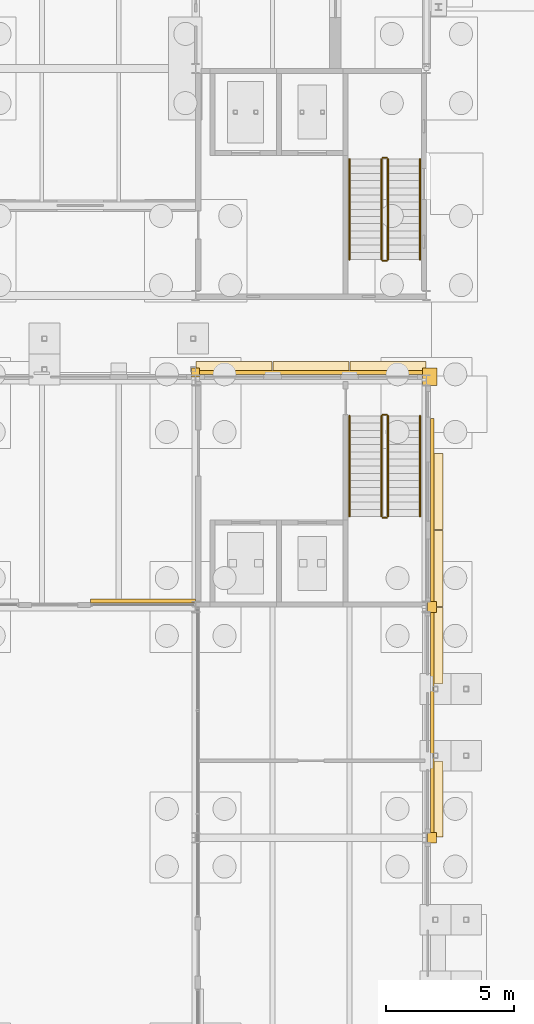
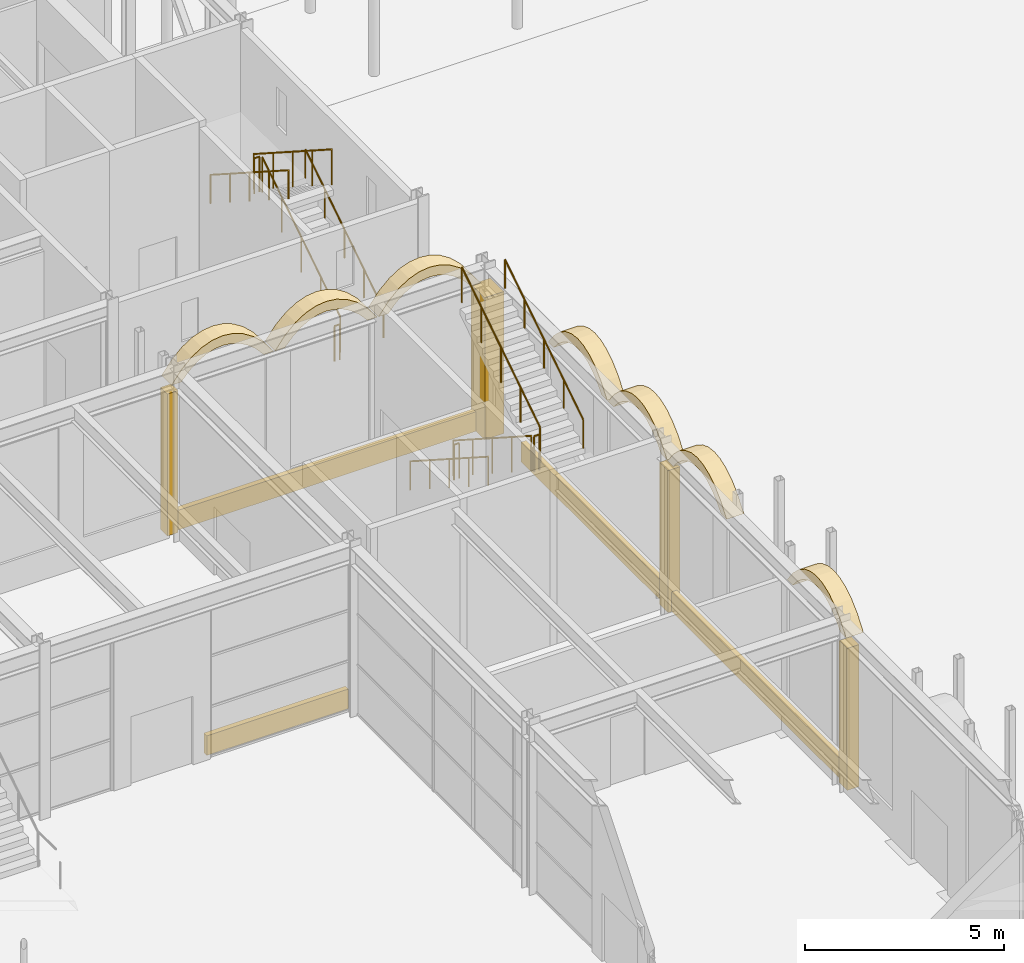
# One storey, part 113 of 126: 15 coverings, 12 railings.
"""IFC4 building model written with IfcOpenShell, lengths in metres."""

from ifc_helpers import new_model, si_unit, direction, frame, origin, origin_2d, place, context, subcontext, project, spatial, polyline, rectangle, circle, outline, extrude, material, layer, layer_set, type_object, element, save


model = new_model("IFC4")

# Units and contexts
model_context = context("Model", 3, precision=1e-05, world=origin(), true_north=direction((0.0, 1.0)))
body_context = subcontext(model_context, "Body", "Model", "MODEL_VIEW")
ifc_project = project(units=[si_unit("LENGTHUNIT", "METRE"), si_unit("AREAUNIT", "SQUARE_METRE"), si_unit("VOLUMEUNIT", "CUBIC_METRE"), si_unit("PLANEANGLEUNIT", "RADIAN"), si_unit("MASSUNIT", "GRAM", prefix="KILO")], contexts=[model_context])

# Site, building, storey
site_placement = place(None, origin())
site = spatial("IfcSite", under=ifc_project, at=site_placement, CompositionType="ELEMENT")
building_placement = place(site_placement, origin())
building = spatial("IfcBuilding", under=site, at=building_placement, Name="Kallimachos Central Library", CompositionType="ELEMENT")
storey_placement = place(building_placement, origin())
storey = spatial("IfcBuildingStorey", under=building, at=storey_placement, Name="L00", CompositionType="ELEMENT", Elevation=0.0)

# Railings
ifc_material_1 = material(Name="Wrought iron")
railing_type_1 = type_object("IfcRailingType", Name="Stair guard", PredefinedType="GUARDRAIL", material=ifc_material_1)
railing_1_placement = place(storey_placement, frame((108.75, 82.449951171875, 0.179931640625)))
element("IfcRailing", 1, at=railing_1_placement, inside=storey, type_object=railing_type_1, Name="L00 ST10 stair guard 1", PredefinedType="GUARDRAIL", context=body_context, shape_type="SweptSolid", body=[
    extrude(circle(Radius=0.02392578125, at=origin_2d()), frame((0.0, 0.0, 1.076171875), z_axis=(0.0, -0.841171666519, 0.540768182723), x_axis=(1.0, 0.0, 0.0)), (0.0, 0.0, 1.0), 4.66015625),
    extrude(circle(Radius=0.02099609375, at=origin_2d()), origin(), (0.0, 0.0, 1.0), 1.052001953125),
    extrude(circle(Radius=0.02099609375, at=origin_2d()), frame((0.0, -0.97998046875, 0.6298828125)), (0.0, 0.0, 1.0), 1.052001953125),
    extrude(circle(Radius=0.02099609375, at=origin_2d()), frame((0.0, -1.9599609375, 1.260009765625)), (0.0, 0.0, 1.0), 1.052001953125),
    extrude(circle(Radius=0.02099609375, at=origin_2d()), frame((0.0, -2.93994140625, 1.89013671875)), (0.0, 0.0, 1.0), 1.052001953125),
    extrude(circle(Radius=0.02099609375, at=origin_2d()), frame((0.0, -3.919921875, 2.52001953125)), (0.0, 0.0, 1.0), 1.052001953125),
])
railing_2_placement = place(storey_placement, frame((108.800048828125, 78.47998046875, 2.699951171875)))
element("IfcRailing", 2, at=railing_2_placement, inside=storey, type_object=railing_type_1, Name="L00 ST10 stair guard 2", PredefinedType="GUARDRAIL", context=body_context, shape_type="SweptSolid", body=[
    extrude(circle(Radius=0.02392578125, at=origin_2d()), frame((0.0, 0.0, 1.076171875), z_axis=(1.0, 0.0, 0.0), x_axis=(0.0, 1.0, 0.0)), (0.0, 0.0, 1.0), 0.14990234375),
    extrude(circle(Radius=0.02099609375, at=origin_2d()), origin(), (0.0, 0.0, 1.0), 1.052001953125),
    extrude(circle(Radius=0.02099609375, at=origin_2d()), frame((0.14990234375, 0.0, 0.0)), (0.0, 0.0, 1.0), 1.052001953125),
])
railing_3_placement = place(storey_placement, frame((109.0, 78.530029296875, 2.8798828125)))
element("IfcRailing", 3, at=railing_3_placement, inside=storey, type_object=railing_type_1, Name="L00 ST10 stair guard 3", PredefinedType="GUARDRAIL", context=body_context, shape_type="SweptSolid", body=[
    extrude(circle(Radius=0.02392578125, at=origin_2d()), frame((0.0, 0.0, 1.076171875), z_axis=(0.0, 0.841171666519, 0.540768182723), x_axis=(-1.0, 0.0, 0.0)), (0.0, 0.0, 1.0), 4.66015625),
    extrude(circle(Radius=0.02099609375, at=origin_2d()), origin(), (0.0, 0.0, 1.0), 1.052001953125),
    extrude(circle(Radius=0.02099609375, at=origin_2d()), frame((0.0, 0.97998046875, 0.6298828125)), (0.0, 0.0, 1.0), 1.052001953125),
    extrude(circle(Radius=0.02099609375, at=origin_2d()), frame((0.0, 1.9599609375, 1.260009765625)), (0.0, 0.0, 1.0), 1.052001953125),
    extrude(circle(Radius=0.02099609375, at=origin_2d()), frame((0.0, 2.93994140625, 1.89013671875)), (0.0, 0.0, 1.0), 1.052001953125),
    extrude(circle(Radius=0.02099609375, at=origin_2d()), frame((0.0, 3.919921875, 2.52001953125)), (0.0, 0.0, 1.0), 1.052001953125),
])
railing_4_placement = place(storey_placement, frame((108.800048828125, 82.5, 0.0)))
element("IfcRailing", 4, at=railing_4_placement, inside=storey, type_object=railing_type_1, Name="L00 ST10 stair guard 4", PredefinedType="GUARDRAIL", context=body_context, shape_type="SweptSolid", body=[
    extrude(circle(Radius=0.02392578125, at=origin_2d()), frame((0.0, 0.0, 1.076171875), z_axis=(1.0, 0.0, 0.0), x_axis=(0.0, 1.0, 0.0)), (0.0, 0.0, 1.0), 0.14990234375),
    extrude(circle(Radius=0.02099609375, at=origin_2d()), origin(), (0.0, 0.0, 1.0), 1.052001953125),
    extrude(circle(Radius=0.02099609375, at=origin_2d()), frame((0.14990234375, 0.0, 0.0)), (0.0, 0.0, 1.0), 1.052001953125),
])
ifc_material_2 = material(Name="Wrought iron")
railing_type_2 = type_object("IfcRailingType", Name="Stair handrail", PredefinedType="HANDRAIL", material=ifc_material_2)
railing_5_placement = place(storey_placement, frame((107.5, 82.449951171875, 0.179931640625)))
element("IfcRailing", 5, at=railing_5_placement, inside=storey, type_object=railing_type_2, Name="L00 ST10 stair handrail 1", PredefinedType="HANDRAIL", context=body_context, shape_type="SweptSolid", body=[
    extrude(circle(Radius=0.02392578125, at=origin_2d()), frame((0.0, 0.0, 0.8759765625), z_axis=(0.0, -0.841171666519, 0.540768182723), x_axis=(1.0, 0.0, 0.0)), (0.0, 0.0, 1.0), 4.66015625),
    extrude(circle(Radius=0.02099609375, at=origin_2d()), origin(), (0.0, 0.0, 1.0), 0.851806640625),
    extrude(circle(Radius=0.02099609375, at=origin_2d()), frame((0.0, -0.97998046875, 0.6298828125)), (0.0, 0.0, 1.0), 0.851806640625),
    extrude(circle(Radius=0.02099609375, at=origin_2d()), frame((0.0, -1.9599609375, 1.260009765625)), (0.0, 0.0, 1.0), 0.851806640625),
    extrude(circle(Radius=0.02099609375, at=origin_2d()), frame((0.0, -2.93994140625, 1.89013671875)), (0.0, 0.0, 1.0), 0.851806640625),
    extrude(circle(Radius=0.02099609375, at=origin_2d()), frame((0.0, -3.919921875, 2.52001953125)), (0.0, 0.0, 1.0), 0.851806640625),
])
railing_6_placement = place(storey_placement, frame((110.25, 78.530029296875, 2.8798828125)))
element("IfcRailing", 6, at=railing_6_placement, inside=storey, type_object=railing_type_2, Name="L00 ST10 stair handrail 2", PredefinedType="HANDRAIL", context=body_context, shape_type="SweptSolid", body=[
    extrude(circle(Radius=0.02392578125, at=origin_2d()), frame((0.0, 0.0, 0.8759765625), z_axis=(0.0, 0.841171666519, 0.540768182723), x_axis=(-1.0, 0.0, 0.0)), (0.0, 0.0, 1.0), 4.66015625),
    extrude(circle(Radius=0.02099609375, at=origin_2d()), origin(), (0.0, 0.0, 1.0), 0.851806640625),
    extrude(circle(Radius=0.02099609375, at=origin_2d()), frame((0.0, 0.97998046875, 0.6298828125)), (0.0, 0.0, 1.0), 0.851806640625),
    extrude(circle(Radius=0.02099609375, at=origin_2d()), frame((0.0, 1.9599609375, 1.260009765625)), (0.0, 0.0, 1.0), 0.851806640625),
    extrude(circle(Radius=0.02099609375, at=origin_2d()), frame((0.0, 2.93994140625, 1.89013671875)), (0.0, 0.0, 1.0), 0.851806640625),
    extrude(circle(Radius=0.02099609375, at=origin_2d()), frame((0.0, 3.919921875, 2.52001953125)), (0.0, 0.0, 1.0), 0.851806640625),
])

# Coverings
ifc_material_3 = material(Name="Pentelic marble arch ring", Category="masonry")
ifc_layer_1 = layer(ifc_material_3, 0.5)
ifc_layer_set_1 = layer_set([ifc_layer_1], Name="Stone arcade arch 500")
covering_type_1 = type_object("IfcCoveringType", Name="Stone arcade arch 500", PredefinedType="MOLDING", material=ifc_layer_set_1)
for number, where, z_axis, x_axis, name in (
    (7, (101.52001953125, 84.56591796875, 4.5), (0.0, 1.0, 0.0), (0.607673405972, 0.0, 0.794187025627), "Arcade arch 16"),
    (8, (104.52001953125, 84.56591796875, 4.5), (0.0, 1.0, 0.0), (0.607673405972, 0.0, 0.794187025627), "Arcade arch 17"),
    (9, (107.52001953125, 84.56591796875, 4.5), (0.0, 1.0, 0.0), (0.607673405972, 0.0, 0.794187025627), "Arcade arch 18"),
):
    element("IfcCovering", number, at=place(storey_placement, frame(where, z_axis=z_axis, x_axis=x_axis)), inside=storey, type_object=covering_type_1, Name=name, PredefinedType="MOLDING", context=body_context, shape_type="SweptSolid", body=[
        extrude(outline(polyline([(0.0, 0.0), (0.4869366251541405, 2.7755575615628914e-17), (0.8889024419966925, 0.06532295220883794), (1.218591587223228, 0.18564109972920229), (1.4854137622537693, 0.3543694142335939), (1.6935317978445363, 0.5677078804904176), (1.8450329849286935, 0.8243668141651777), (1.9381267481033357, 1.1260236862259767), (1.9680568255517241, 1.4757029386371963), (1.926006946914356, 1.8807651729935488), (1.7986895444351394, 2.3507625729251327), (1.7986895444351394, 2.3507625729251327), (1.6285231878311222, 2.1283669385515656), (1.6285231878311222, 2.1283669385515656), (1.6944190066577884, 1.775763128611894), (1.7042796569282552, 1.4660347127947693), (1.6646975114138403, 1.1941375270857737), (1.580713796351433, 0.9562142695915296), (1.4552369114930856, 0.7500395738350882), (1.289042430106012, 0.57502000875593), (1.0813547789229982, 0.4317490054145742), (0.8292655581919923, 0.32245193028797), (0.5277335416761045, 0.2509860852694953), (0.17016635660401722, 0.22239563437356707), (0.17016635660401722, 0.22239563437356707), (0.0, 0.0), (0.0, 0.0)])), origin(), (0.0, 0.0, -1.0), 0.5),
    ])
for number, where, z_axis, x_axis, name in (
    (10, (111.14990234375, 66.02001953125, 4.5), (1.0, 0.0, 0.0), (0.0, 1.0, 0.0), "Arcade arch 27"),
    (11, (111.14990234375, 72.02001953125, 4.5), (1.0, 0.0, 0.0), (0.0, 1.0, 0.0), "Arcade arch 28"),
    (12, (111.153564453125, 75.02001953125, 4.5), (1.0, 0.0, 0.0), (0.0, 1.0, 0.0), "Arcade arch 29"),
    (13, (111.153564453125, 78.02001953125, 4.5), (1.0, 0.0, 0.0), (0.0, 1.0, 0.0), "Arcade arch 30"),
):
    element("IfcCovering", number, at=place(storey_placement, frame(where, z_axis=z_axis, x_axis=x_axis)), inside=storey, type_object=covering_type_1, Name=name, PredefinedType="MOLDING", context=body_context, shape_type="SweptSolid", body=[
        extrude(outline(polyline([(0.0, 0.0), (0.280029296875, 0.0), (0.280029296875, 0.0), (0.52001953125, 0.2666015625), (0.760009765625, 0.462646484375), (1.0, 0.596435546875), (1.239990234375, 0.67431640625), (1.47998046875, 0.699951171875), (1.719970703125, 0.67431640625), (1.9599609375, 0.596435546875), (2.199951171875, 0.462646484375), (2.43994140625, 0.2666015625), (2.679931640625, 0.0), (2.679931640625, 0.0), (2.9599609375, 0.0), (2.9599609375, 0.0), (2.6640625, 0.38671875), (2.367919921875, 0.666259765625), (2.072021484375, 0.85498046875), (1.77587890625, 0.96435546875), (1.47998046875, 1.0), (1.18408203125, 0.96435546875), (0.887939453125, 0.85498046875), (0.592041015625, 0.666259765625), (0.2958984375, 0.38671875), (0.0, 0.0), (0.0, 0.0)])), origin(), (0.0, 0.0, -1.0), 0.5),
    ])
ifc_material_4 = material(Name="Pentelic marble pilaster", Category="masonry")
ifc_layer_2 = layer(ifc_material_4, 0.25)
ifc_layer_set_2 = layer_set([ifc_layer_2], Name="Stone pilaster 250")
covering_type_2 = type_object("IfcCoveringType", Name="Stone pilaster 250", PredefinedType="CLADDING", material=ifc_layer_set_2)
covering_1_placement = place(storey_placement, frame((101.5, 84.14111328125, 0.0), z_axis=(0.0, 0.0, 1.0), x_axis=(1.0, 0.0, 0.0)))
element("IfcCovering", 14, at=covering_1_placement, inside=storey, type_object=covering_type_2, Name="Stone pilaster 250 -L00-023", PredefinedType="CLADDING", context=body_context, shape_type="SweptSolid", body=[
    extrude(rectangle(XDim=0.306884765625, YDim=0.35009765625, at=origin_2d()), origin(), (0.0, 0.0, 1.0), 4.35009765625),
])
covering_2_placement = place(storey_placement, frame((110.72509765625, 66.0, 0.0), z_axis=(0.0, 0.0, 1.0), x_axis=(1.0, 0.0, 0.0)))
element("IfcCovering", 15, at=covering_2_placement, inside=storey, type_object=covering_type_2, Name="Stone pilaster 250 -L00-030", PredefinedType="CLADDING", context=body_context, shape_type="SweptSolid", body=[
    extrude(rectangle(XDim=0.35009765625, YDim=0.39990234375, at=origin_2d()), origin(), (0.0, 0.0, 1.0), 4.35009765625),
])
covering_3_placement = place(storey_placement, frame((110.72509765625, 75.0, 0.0), z_axis=(0.0, 0.0, 1.0), x_axis=(1.0, 0.0, 0.0)))
element("IfcCovering", 16, at=covering_3_placement, inside=storey, type_object=covering_type_2, Name="Stone pilaster 250 -L00-031", PredefinedType="CLADDING", context=body_context, shape_type="SweptSolid", body=[
    extrude(rectangle(XDim=0.35009765625, YDim=0.431884765625, at=origin_2d()), origin(), (0.0, 0.0, 1.0), 4.35009765625),
])
covering_4_placement = place(storey_placement, frame((110.625, 83.97509765625, 0.0), z_axis=(0.0, 0.0, 1.0), x_axis=(1.0, 0.0, 0.0)))
element("IfcCovering", 17, at=covering_4_placement, inside=storey, type_object=covering_type_2, Name="Stone pilaster 250 corner", PredefinedType="CLADDING", context=body_context, shape_type="SweptSolid", body=[
    extrude(rectangle(XDim=0.556884765625, YDim=0.681884765625, at=origin_2d()), origin(), (0.0, 0.0, 1.0), 4.35009765625),
])
ifc_material_5 = material(Name="Pentelic marble plinth course", Category="masonry")
ifc_layer_3 = layer(ifc_material_5, 0.14990234375)
ifc_layer_set_3 = layer_set([ifc_layer_3], Name="Stone plinth course 600")
covering_type_3 = type_object("IfcCoveringType", Name="Stone plinth course 600", PredefinedType="CLADDING", material=ifc_layer_set_3)
covering_5_placement = place(storey_placement, frame((106.0, 84.14111328125, 0.0), z_axis=(0.0, 0.0, 1.0), x_axis=(1.0, 0.0, 0.0)))
element("IfcCovering", 18, at=covering_5_placement, inside=storey, type_object=covering_type_3, Name="Stone plinth course 600 -L00-024", PredefinedType="CLADDING", context=body_context, shape_type="SweptSolid", body=[
    extrude(rectangle(XDim=8.693115234375, YDim=0.14990234375, at=origin_2d()), origin(), (0.0, 0.0, 1.0), 0.60009765625),
])
covering_6_placement = place(storey_placement, frame((110.72509765625, 70.491943359375, 0.0), z_axis=(0.0, 0.0, 1.0), x_axis=(1.0, 0.0, 0.0)))
element("IfcCovering", 19, at=covering_6_placement, inside=storey, type_object=covering_type_3, Name="Stone plinth course 600 -L00-031", PredefinedType="CLADDING", context=body_context, shape_type="SweptSolid", body=[
    extrude(rectangle(XDim=0.14990234375, YDim=8.583984375, at=origin_2d()), origin(), (0.0, 0.0, 1.0), 0.60009765625),
])
covering_7_placement = place(storey_placement, frame((110.728515625, 78.782958984375, 0.0), z_axis=(0.0, 0.0, 1.0), x_axis=(1.0, 0.0, 0.0)))
element("IfcCovering", 20, at=covering_7_placement, inside=storey, type_object=covering_type_3, Name="Stone plinth course 600 -L00-032", PredefinedType="CLADDING", context=body_context, shape_type="SweptSolid", body=[
    extrude(rectangle(XDim=0.14990234375, YDim=7.134033203125, at=origin_2d()), origin(), (0.0, 0.0, 1.0), 0.60009765625),
])
covering_8_placement = place(storey_placement, frame((99.449951171875, 75.235107421875, 0.0), z_axis=(0.0, 0.0, 1.0), x_axis=(1.0, 0.0, 0.0)))
element("IfcCovering", 21, at=covering_8_placement, inside=storey, type_object=covering_type_3, Name="Stone plinth course 600 cw", PredefinedType="CLADDING", context=body_context, shape_type="SweptSolid", body=[
    extrude(rectangle(XDim=4.10009765625, YDim=0.14990234375, at=origin_2d()), origin(), (0.0, 0.0, 1.0), 0.60009765625),
])

# Railings
ifc_material_6 = material(Name="Wrought iron")
railing_type_3 = type_object("IfcRailingType", Name="Wrought-iron handrail 900", PredefinedType="HANDRAIL", material=ifc_material_6)
railing_7_placement = place(storey_placement, frame((110.25, 88.550048828125, 0.179931640625)))
element("IfcRailing", 22, at=railing_7_placement, inside=storey, type_object=railing_type_3, Name="L00 ST2 stair handrail 1", PredefinedType="HANDRAIL", context=body_context, shape_type="SweptSolid", body=[
    extrude(circle(Radius=0.02392578125, at=origin_2d()), frame((0.0, 0.0, 0.8759765625), z_axis=(0.0, 0.841171666519, 0.540768182723), x_axis=(-1.0, 0.0, 0.0)), (0.0, 0.0, 1.0), 4.66015625),
    extrude(circle(Radius=0.02099609375, at=origin_2d()), origin(), (0.0, 0.0, 1.0), 0.851806640625),
    extrude(circle(Radius=0.02099609375, at=origin_2d()), frame((0.0, 0.97998046875, 0.6298828125)), (0.0, 0.0, 1.0), 0.851806640625),
    extrude(circle(Radius=0.02099609375, at=origin_2d()), frame((0.0, 1.9599609375, 1.260009765625)), (0.0, 0.0, 1.0), 0.851806640625),
    extrude(circle(Radius=0.02099609375, at=origin_2d()), frame((0.0, 2.93994140625, 1.89013671875)), (0.0, 0.0, 1.0), 0.851806640625),
    extrude(circle(Radius=0.02099609375, at=origin_2d()), frame((0.0, 3.919921875, 2.52001953125)), (0.0, 0.0, 1.0), 0.851806640625),
])
railing_8_placement = place(storey_placement, frame((107.5, 92.469970703125, 2.8798828125)))
element("IfcRailing", 23, at=railing_8_placement, inside=storey, type_object=railing_type_3, Name="L00 ST2 stair handrail 2", PredefinedType="HANDRAIL", context=body_context, shape_type="SweptSolid", body=[
    extrude(circle(Radius=0.02392578125, at=origin_2d()), frame((0.0, 0.0, 0.8759765625), z_axis=(0.0, -0.841171666519, 0.540768182723), x_axis=(1.0, 0.0, 0.0)), (0.0, 0.0, 1.0), 4.66015625),
    extrude(circle(Radius=0.02099609375, at=origin_2d()), origin(), (0.0, 0.0, 1.0), 0.851806640625),
    extrude(circle(Radius=0.02099609375, at=origin_2d()), frame((0.0, -0.97998046875, 0.6298828125)), (0.0, 0.0, 1.0), 0.851806640625),
    extrude(circle(Radius=0.02099609375, at=origin_2d()), frame((0.0, -1.9599609375, 1.260009765625)), (0.0, 0.0, 1.0), 0.851806640625),
    extrude(circle(Radius=0.02099609375, at=origin_2d()), frame((0.0, -2.93994140625, 1.89013671875)), (0.0, 0.0, 1.0), 0.851806640625),
    extrude(circle(Radius=0.02099609375, at=origin_2d()), frame((0.0, -3.919921875, 2.52001953125)), (0.0, 0.0, 1.0), 0.851806640625),
])
ifc_material_7 = material(Name="Wrought iron")
railing_type_4 = type_object("IfcRailingType", Name="Wrought-iron stair guard 1100", PredefinedType="GUARDRAIL", material=ifc_material_7)
railing_9_placement = place(storey_placement, frame((109.0, 88.550048828125, 0.179931640625)))
element("IfcRailing", 24, at=railing_9_placement, inside=storey, type_object=railing_type_4, Name="L00 ST2 stair guard 1", PredefinedType="GUARDRAIL", context=body_context, shape_type="SweptSolid", body=[
    extrude(circle(Radius=0.02392578125, at=origin_2d()), frame((0.0, 0.0, 1.076171875), z_axis=(0.0, 0.841171666519, 0.540768182723), x_axis=(-1.0, 0.0, 0.0)), (0.0, 0.0, 1.0), 4.66015625),
    extrude(circle(Radius=0.02099609375, at=origin_2d()), origin(), (0.0, 0.0, 1.0), 1.052001953125),
    extrude(circle(Radius=0.02099609375, at=origin_2d()), frame((0.0, 0.97998046875, 0.6298828125)), (0.0, 0.0, 1.0), 1.052001953125),
    extrude(circle(Radius=0.02099609375, at=origin_2d()), frame((0.0, 1.9599609375, 1.260009765625)), (0.0, 0.0, 1.0), 1.052001953125),
    extrude(circle(Radius=0.02099609375, at=origin_2d()), frame((0.0, 2.93994140625, 1.89013671875)), (0.0, 0.0, 1.0), 1.052001953125),
    extrude(circle(Radius=0.02099609375, at=origin_2d()), frame((0.0, 3.919921875, 2.52001953125)), (0.0, 0.0, 1.0), 1.052001953125),
])
railing_10_placement = place(storey_placement, frame((108.949951171875, 92.52001953125, 2.699951171875)))
element("IfcRailing", 25, at=railing_10_placement, inside=storey, type_object=railing_type_4, Name="L00 ST2 stair guard 2", PredefinedType="GUARDRAIL", context=body_context, shape_type="SweptSolid", body=[
    extrude(circle(Radius=0.02392578125, at=origin_2d()), frame((0.0, 0.0, 1.076171875), z_axis=(-1.0, 0.0, 0.0), x_axis=(0.0, -1.0, 0.0)), (0.0, 0.0, 1.0), 0.14990234375),
    extrude(circle(Radius=0.02099609375, at=origin_2d()), origin(), (0.0, 0.0, 1.0), 1.052001953125),
    extrude(circle(Radius=0.02099609375, at=origin_2d()), frame((-0.14990234375, 0.0, 0.0)), (0.0, 0.0, 1.0), 1.052001953125),
])
railing_11_placement = place(storey_placement, frame((108.75, 92.469970703125, 2.8798828125)))
element("IfcRailing", 26, at=railing_11_placement, inside=storey, type_object=railing_type_4, Name="L00 ST2 stair guard 3", PredefinedType="GUARDRAIL", context=body_context, shape_type="SweptSolid", body=[
    extrude(circle(Radius=0.02392578125, at=origin_2d()), frame((0.0, 0.0, 1.076171875), z_axis=(0.0, -0.841171666519, 0.540768182723), x_axis=(1.0, 0.0, 0.0)), (0.0, 0.0, 1.0), 4.66015625),
    extrude(circle(Radius=0.02099609375, at=origin_2d()), origin(), (0.0, 0.0, 1.0), 1.052001953125),
    extrude(circle(Radius=0.02099609375, at=origin_2d()), frame((0.0, -0.97998046875, 0.6298828125)), (0.0, 0.0, 1.0), 1.052001953125),
    extrude(circle(Radius=0.02099609375, at=origin_2d()), frame((0.0, -1.9599609375, 1.260009765625)), (0.0, 0.0, 1.0), 1.052001953125),
    extrude(circle(Radius=0.02099609375, at=origin_2d()), frame((0.0, -2.93994140625, 1.89013671875)), (0.0, 0.0, 1.0), 1.052001953125),
    extrude(circle(Radius=0.02099609375, at=origin_2d()), frame((0.0, -3.919921875, 2.52001953125)), (0.0, 0.0, 1.0), 1.052001953125),
])
railing_12_placement = place(storey_placement, frame((108.949951171875, 88.5, 0.0)))
element("IfcRailing", 27, at=railing_12_placement, inside=storey, type_object=railing_type_4, Name="L00 ST2 stair guard 4", PredefinedType="GUARDRAIL", context=body_context, shape_type="SweptSolid", body=[
    extrude(circle(Radius=0.02392578125, at=origin_2d()), frame((0.0, 0.0, 1.076171875), z_axis=(-1.0, 0.0, 0.0), x_axis=(0.0, -1.0, 0.0)), (0.0, 0.0, 1.0), 0.14990234375),
    extrude(circle(Radius=0.02099609375, at=origin_2d()), origin(), (0.0, 0.0, 1.0), 1.052001953125),
    extrude(circle(Radius=0.02099609375, at=origin_2d()), frame((-0.14990234375, 0.0, 0.0)), (0.0, 0.0, 1.0), 1.052001953125),
])

save(model, "model.ifc")
